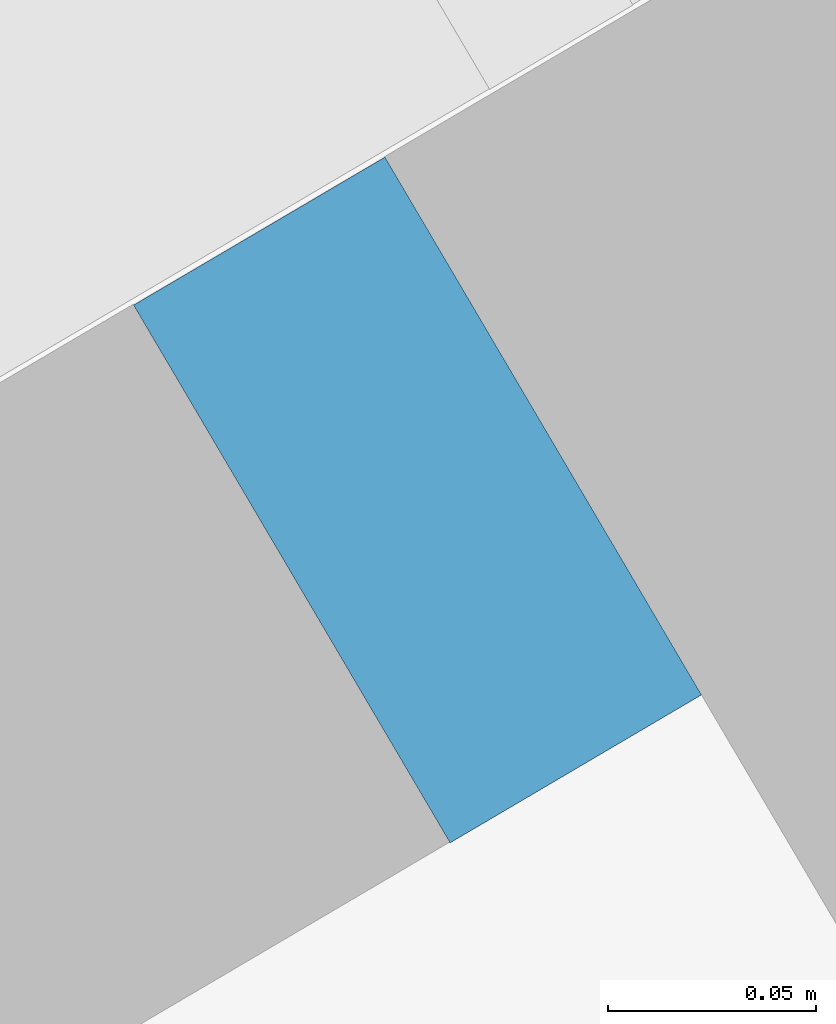
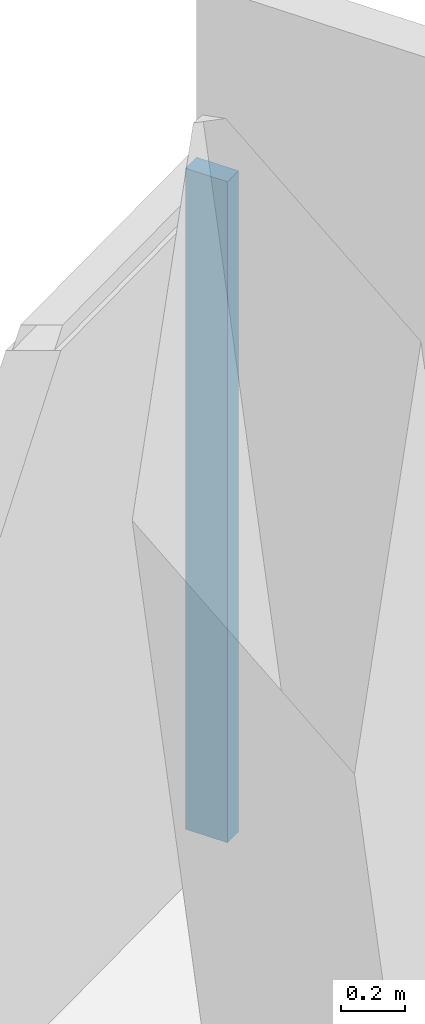
# One storey, part 12 of 26: 1 member, 1 element without a shape of its own.
"""IFC4 building model written with IfcOpenShell, lengths in metres."""

import ifcopenshell
import ifcopenshell.guid

model = None  # the IFC model being written
_history = None  # IfcOwnerHistory: only IFC2X3 demands one
_inside = {}  # id of a spatial element -> (the spatial element, [elements in it])
_under = {}  # id of a project, library or spatial element -> (it, [spatial elements below it])
_declared = {}  # id of a project -> (the project, [libraries it declares])
_typed = {}  # id of a type object -> (the type object, [elements of that type])
_made_of = {}  # id of a material, layer set ... -> (it, [elements and type objects made of it])


def new_model(schema):
    """Start an empty IFC model of exactly this schema.

    Asked for "IFC4X3", IfcOpenShell would pick the latest addendum, in which some entities
    have other attributes; the version numbers below select the first issue.
    IFC2X3 requires an IfcOwnerHistory on every rooted entity: one is made here for all.
    """
    global model, _history
    if schema == "IFC4X3":
        model = ifcopenshell.file(schema_version=(4, 3, 0, 0))
    else:
        model = ifcopenshell.file(schema=schema)
    _inside.clear()
    _under.clear()
    _declared.clear()
    _typed.clear()
    _made_of.clear()
    _history = None
    if model.schema == "IFC2X3":
        org = make("IfcOrganization", Name="unknown")
        user = make(
            "IfcPersonAndOrganization",
            ThePerson=make("IfcPerson", FamilyName="unknown"),
            TheOrganization=org,
        )
        app = make(
            "IfcApplication",
            ApplicationDeveloper=org,
            Version="unknown",
            ApplicationFullName="unknown",
            ApplicationIdentifier="unknown",
        )
        _history = make(
            "IfcOwnerHistory",
            OwningUser=user,
            OwningApplication=app,
            ChangeAction="ADDED",
            CreationDate=0,
        )
    return model


def make(cls, **values):
    """One entity of the class cls with the attributes given. An attribute that is None is left unset."""
    return model.create_entity(
        cls, **{name: value for name, value in values.items() if value is not None}
    )


def rooted(cls, **values):
    """An entity with a GlobalId (a new one), such as an element, a storey or a relation."""
    return make(cls, GlobalId=ifcopenshell.guid.new(), OwnerHistory=_history, **values)


def si_unit(unit_type, name, prefix=None):
    """IfcSIUnit, for example si_unit("LENGTHUNIT", "METRE", prefix="MILLI")."""
    return make("IfcSIUnit", UnitType=unit_type, Prefix=prefix, Name=name)


def assignment(units):
    """IfcUnitAssignment: the units of a project."""
    return None if units is None else make("IfcUnitAssignment", Units=units)


def point(xyz):
    """IfcCartesianPoint."""
    return None if xyz is None else make("IfcCartesianPoint", Coordinates=xyz)


def direction(xyz):
    """IfcDirection."""
    return None if xyz is None else make("IfcDirection", DirectionRatios=xyz)


def frame(location, z_axis=None, x_axis=None):
    """IfcAxis2Placement3D, a coordinate frame: its origin and axes. An axis left out is left unset."""
    return make(
        "IfcAxis2Placement3D",
        Location=point(location),
        Axis=direction(z_axis),
        RefDirection=direction(x_axis),
    )


def frame_2d(location, x_axis=None):
    """IfcAxis2Placement2D, a coordinate frame in the plane: its origin and x axis."""
    return make(
        "IfcAxis2Placement2D", Location=point(location), RefDirection=direction(x_axis)
    )


def origin():
    """The frame at (0, 0, 0) with its axes left unset."""
    return frame((0.0, 0.0, 0.0))


def origin_2d():
    """The frame at (0, 0) in the plane with its x axis left unset."""
    return frame_2d((0.0, 0.0))


def place(relative_to, where):
    """IfcLocalPlacement: puts the frame where relative to a parent placement (None: the world)."""
    return make(
        "IfcLocalPlacement", PlacementRelTo=relative_to, RelativePlacement=where
    )


def context(
    kind, dimensions, precision=None, world=None, true_north=None, identifier=None
):
    """IfcGeometricRepresentationContext, for example the 3D "Model" context."""
    return make(
        "IfcGeometricRepresentationContext",
        ContextIdentifier=identifier,
        ContextType=kind,
        CoordinateSpaceDimension=dimensions,
        Precision=precision,
        WorldCoordinateSystem=world,
        TrueNorth=true_north,
    )


def subcontext(parent, identifier, kind, view, scale=None):
    """IfcGeometricRepresentationSubContext, for example "Body" below "Model"."""
    return make(
        "IfcGeometricRepresentationSubContext",
        ContextIdentifier=identifier,
        ContextType=kind,
        ParentContext=parent,
        TargetScale=scale,
        TargetView=view,
    )


def project(units=None, contexts=None):
    """IfcProject with its units and contexts."""
    return rooted(
        "IfcProject",
        Name="project",
        RepresentationContexts=contexts,
        UnitsInContext=assignment(units),
    )


def spatial(cls, under=None, at=None, **own):
    """A site, building, storey or space (cls), placed at a placement, below another one or the project."""
    s = rooted(cls, ObjectPlacement=at, **own)
    if under is not None:
        _under.setdefault(under.id(), (under, []))[1].append(s)
    return s


def profile(cls, at=None, kind="AREA", **sizes):
    """A parametric profile (cls). Its sizes go by their IFC names, for example OverallWidth=200.0."""
    return make(cls, ProfileType=kind, Position=at, **sizes)


def rectangle(**sizes):
    """IfcRectangleProfileDef."""
    return profile("IfcRectangleProfileDef", **sizes)


def extrude(swept, where, along, depth):
    """IfcExtrudedAreaSolid: the profile swept, set in the frame where, extruded along a direction by depth."""
    return make(
        "IfcExtrudedAreaSolid",
        SweptArea=swept,
        Position=where,
        ExtrudedDirection=direction(along),
        Depth=depth,
    )


def shape(context_of_items, identifier, shape_type, items):
    """IfcShapeRepresentation: the items that make up one representation, for example the "Body"."""
    return make(
        "IfcShapeRepresentation",
        ContextOfItems=context_of_items,
        RepresentationIdentifier=identifier,
        RepresentationType=shape_type,
        Items=items,
    )


def material(Name=None, Category=None):
    """IfcMaterial."""
    return make("IfcMaterial", Name=Name, Category=Category)


def layer(
    of_material, thickness, ventilated=None, Name=None, Category=None, Priority=None
):
    """IfcMaterialLayer: one layer of a wall or slab, of a material (None: an air gap)."""
    return make(
        "IfcMaterialLayer",
        Material=of_material,
        LayerThickness=thickness,
        IsVentilated=ventilated,
        Name=Name,
        Category=Category,
        Priority=Priority,
    )


def layer_set(layers, Name=None):
    """IfcMaterialLayerSet."""
    return make("IfcMaterialLayerSet", MaterialLayers=layers, LayerSetName=Name)


def material_profile(
    of_material, cross_section, Name=None, Category=None, Priority=None
):
    """IfcMaterialProfile: a cross section and its material."""
    return make(
        "IfcMaterialProfile",
        Name=Name,
        Material=of_material,
        Profile=cross_section,
        Priority=Priority,
        Category=Category,
    )


def profile_set(profiles, Name=None, composite=None):
    """IfcMaterialProfileSet."""
    return make(
        "IfcMaterialProfileSet",
        Name=Name,
        MaterialProfiles=profiles,
        CompositeProfile=composite,
    )


def made_of(thing, what):
    """Note that an element or type object is made of a material, layer set ...; save() writes the relation."""
    if what is not None:
        _made_of.setdefault(what.id(), (what, []))[1].append(thing)
    return thing


def type_object(cls, material=None, **own):
    """A type object (cls), such as IfcWallType, which elements share."""
    return made_of(rooted(cls, **own), material)


def element(
    cls,
    number,
    at=None,
    inside=None,
    cuts=None,
    type_object=None,
    material=None,
    context=None,
    identifier="Body",
    shape_type=None,
    held_by="IfcProductDefinitionShape",
    body=None,
    shapes=None,
    **own,
):
    """One element of the class cls, such as IfcWall. Its Tag is "e" and its number.

    at: its placement. inside: the storey or other place that contains it. cuts: it is an
    opening in that element (IfcRelVoidsElement). A single representation is given by context,
    identifier, shape_type and body (its items); several are given by shapes. held_by: the class
    of the entity that holds the representations. save() writes the other relations.
    """
    e = rooted(cls, Tag="e%d" % number, ObjectPlacement=at, **own)
    if body is not None:
        shapes = [shape(context, identifier, shape_type, body)]
    if shapes is not None:
        e.Representation = make(held_by, Representations=shapes)
    if inside is not None:
        _inside.setdefault(inside.id(), (inside, []))[1].append(e)
    if cuts is not None:
        rooted(
            "IfcRelVoidsElement", RelatingBuildingElement=cuts, RelatedOpeningElement=e
        )
    if type_object is not None:
        _typed.setdefault(type_object.id(), (type_object, []))[1].append(e)
    return made_of(e, material)


def aggregate(whole, parts):
    """IfcRelAggregates: a whole, such as a stair, and the parts it consists of."""
    return rooted("IfcRelAggregates", RelatingObject=whole, RelatedObjects=parts)


def save(model, path):
    """Write the relations noted so far, then the file.

    IfcRelAggregates (storeys below a building ...), IfcRelContainedInSpatialStructure (elements
    in a storey), IfcRelDefinesByType, IfcRelAssociatesMaterial and IfcRelDeclares: one each for
    every whole, place, type object, material and project.
    """
    for whole, parts in _under.values():
        aggregate(whole, parts)
    for where, things in _inside.values():
        rooted(
            "IfcRelContainedInSpatialStructure",
            RelatedElements=things,
            RelatingStructure=where,
        )
    for kind, things in _typed.values():
        rooted("IfcRelDefinesByType", RelatedObjects=things, RelatingType=kind)
    for what, things in _made_of.values():
        rooted("IfcRelAssociatesMaterial", RelatedObjects=things, RelatingMaterial=what)
    for by, libraries in _declared.values():
        rooted("IfcRelDeclares", RelatingContext=by, RelatedDefinitions=libraries)
    model.write(path)


model = new_model("IFC4")

# Units and contexts
model_context = context("Model", 3, precision=1e-05, world=origin(), true_north=direction((0.0, 1.0)))
body_context = subcontext(model_context, "Body", "Model", "MODEL_VIEW")
ifc_project = project(units=[si_unit("LENGTHUNIT", "METRE"), si_unit("AREAUNIT", "SQUARE_METRE"), si_unit("VOLUMEUNIT", "CUBIC_METRE"), si_unit("PLANEANGLEUNIT", "RADIAN"), si_unit("MASSUNIT", "GRAM", prefix="KILO")], contexts=[model_context])

# Site, building, storey
site_placement = place(None, origin())
site = spatial("IfcSite", under=ifc_project, at=site_placement, CompositionType="ELEMENT")
building_placement = place(site_placement, origin())
building = spatial("IfcBuilding", under=site, at=building_placement, Name="Verdalira Terraces Hotel", CompositionType="ELEMENT")
storey_placement = place(building_placement, frame((0.0, 0.0, 281.0)))
storey = spatial("IfcBuildingStorey", under=building, at=storey_placement, Name="L69", CompositionType="ELEMENT", Elevation=281.0)

# Curtain wall, member
ifc_material_1 = material(Name="Clear glass", Category="glass")
ifc_layer = layer(ifc_material_1, 0.14990234375)
ifc_layer_set = layer_set([ifc_layer], Name="CW2 curtain wall")
curtain_wall_type = type_object("IfcCurtainWallType", Name="CW2 curtain wall", PredefinedType="NOTDEFINED", material=ifc_layer_set)
curtain_wall_placement = place(storey_placement, origin())
curtain_wall = element("IfcCurtainWall", 1, at=curtain_wall_placement, inside=storey, type_object=curtain_wall_type, Name="CW2 curtain wall L69 edge 38", PredefinedType="NOTDEFINED")
ifc_material_2 = material(Name="Terracotta frame", Category="masonry")
ifc_material_profile = material_profile(ifc_material_2, rectangle(XDim=0.070068, YDim=0.149902, at=origin_2d()), Name="MU 70x150")
ifc_profile_set = profile_set([ifc_material_profile], Name="Terracotta frame")
member_type = type_object("IfcMemberType", Name="CW2 mullion 70x150", PredefinedType="MULLION", material=ifc_profile_set)
member_placement = place(storey_placement, frame((30.121826, 25.184082, 0.0), z_axis=(0.0, 0.0, 1.0), x_axis=(-0.861806272, -0.507237567, 0.0)))
member = element("IfcMember", 2, at=member_placement, type_object=member_type, Name="CW2 mullion", PredefinedType="MULLION", context=body_context, shape_type="SweptSolid", body=[
    extrude(rectangle(XDim=0.070068, YDim=0.149902, at=origin_2d()), origin(), (0.0, 0.0, 1.0), 2.524902),
])
aggregate(curtain_wall, [member])

save(model, "model.ifc")
